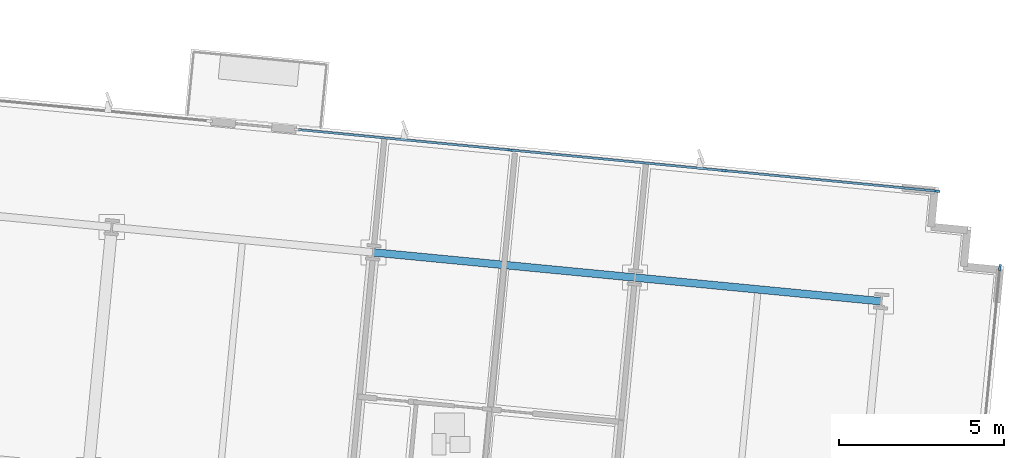
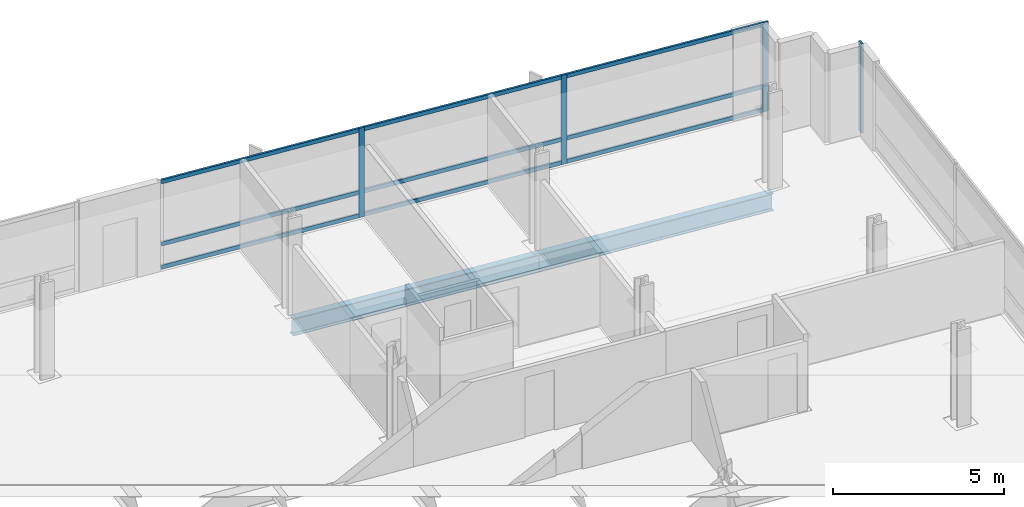
# One storey, part 8 of 16: 13 members, 2 beams, 2 elements without a shape of their own.
"""IFC4 building model written with IfcOpenShell, lengths in metres."""

from ifc_helpers import new_model, si_unit, direction, frame, origin, origin_2d, place, context, subcontext, project, spatial, rectangle, i_section, extrude, material, material_profile, profile_set, type_object, element, aggregate, save


model = new_model("IFC4")

# Units and contexts
model_context = context("Model", 3, precision=1e-05, world=origin(), true_north=direction((0.0, 1.0)))
body_context = subcontext(model_context, "Body", "Model", "MODEL_VIEW")
ifc_project = project(units=[si_unit("LENGTHUNIT", "METRE"), si_unit("AREAUNIT", "SQUARE_METRE"), si_unit("VOLUMEUNIT", "CUBIC_METRE"), si_unit("PLANEANGLEUNIT", "RADIAN"), si_unit("MASSUNIT", "GRAM", prefix="KILO")], contexts=[model_context])

# Site, building, storey
site_placement = place(None, origin())
site = spatial("IfcSite", under=ifc_project, at=site_placement, CompositionType="ELEMENT")
building_placement = place(site_placement, origin())
building = spatial("IfcBuilding", under=site, at=building_placement, Name="Solmavex Isthmus Hotel", CompositionType="ELEMENT")
storey_placement = place(building_placement, frame((0.0, 0.0, 160.050048828125)))
storey = spatial("IfcBuildingStorey", under=building, at=storey_placement, Name="L43", CompositionType="ELEMENT", Elevation=160.050048828125)

# Beams
ifc_material_1 = material(Name="Steel ASTM A992 Grade 50", Category="steel")
ifc_material_profile_1 = material_profile(ifc_material_1, i_section(OverallWidth=0.230224609375, OverallDepth=0.617431640625, WebThickness=0.01318359375, FlangeThickness=0.022216796875, FilletRadius=0.01513671875, at=origin_2d()), Name="W24X94")
ifc_profile_set_1 = profile_set([ifc_material_profile_1], Name="Steel ASTM A992 Grade 50")
beam_type = type_object("IfcBeamType", Name="BM-SP-W24X94", PredefinedType="SPANDREL", material=ifc_profile_set_1)
beam_1_placement = place(storey_placement, frame((9.1953125, 17.966552734375, -0.56884765625), z_axis=(0.995397440011, -0.095832856685, 0.0), x_axis=(0.095832856685, 0.995397440011, 0.0)))
element("IfcBeam", 1, at=beam_1_placement, inside=storey, type_object=beam_type, Name="Floor Girder L43-UG19", PredefinedType="SPANDREL", context=body_context, shape_type="SweptSolid", body=[
    extrude(i_section(OverallWidth=0.230224609375, OverallDepth=0.617431640625, WebThickness=0.01318359375, FlangeThickness=0.022216796875, FilletRadius=0.01513671875, at=origin_2d()), origin(), (0.0, 0.0, 1.0), 7.9560546875),
])
beam_2_placement = place(storey_placement, frame((17.11474609375, 17.2041015625, -0.56884765625), z_axis=(0.995395279593, -0.095855293875, 0.0), x_axis=(0.095855293875, 0.995395279593, 0.0)))
element("IfcBeam", 2, at=beam_2_placement, inside=storey, type_object=beam_type, Name="Floor Girder L43-UG20", PredefinedType="SPANDREL", context=body_context, shape_type="SweptSolid", body=[
    extrude(i_section(OverallWidth=0.230224609375, OverallDepth=0.617431640625, WebThickness=0.01318359375, FlangeThickness=0.022216796875, FilletRadius=0.01513671875, at=origin_2d()), origin(), (0.0, 0.0, 1.0), 7.488037109375),
])

# Curtain wall, members
ifc_material_2 = material(Name="Aluminium alloy 6063-T6", Category="aluminium")
curtain_wall_type = type_object("IfcCurtainWallType", Name="CW-SYS-03", PredefinedType="NOTDEFINED", material=ifc_material_2)
curtain_wall_1_placement = place(storey_placement, origin())
curtain_wall_1 = element("IfcCurtainWall", 3, at=curtain_wall_1_placement, inside=storey, type_object=curtain_wall_type, Name="Stick Curtain Wall CWL-L43-N3", PredefinedType="NOTDEFINED")
ifc_material_profile_2 = material_profile(ifc_material_2, rectangle(XDim=0.070068359375, YDim=0.179931640625, at=origin_2d()), Name="CWM-70X180")
ifc_profile_set_2 = profile_set([ifc_material_profile_2], Name="Aluminium alloy 6063-T6")
member_type_1 = type_object("IfcMemberType", Name="CW-SYS-03-MUL", PredefinedType="MULLION", material=ifc_profile_set_2)
member_1_placement = place(storey_placement, frame((13.340576171875, 21.0634765625, 0.0), z_axis=(0.0, 0.0, 1.0), x_axis=(0.095845735304, 0.995396200025, 0.0)))
member_1 = element("IfcMember", 4, at=member_1_placement, type_object=member_type_1, Name="CW-03 mullion 2", PredefinedType="MULLION", context=body_context, shape_type="SweptSolid", body=[
    extrude(rectangle(XDim=0.070068359375, YDim=0.179931640625, at=origin_2d()), origin(), (0.0, 0.0, 1.0), 3.18994140625),
])
member_2_placement = place(storey_placement, frame((19.818115234375, 20.439697265625, 0.0), z_axis=(0.0, 0.0, 1.0), x_axis=(0.095845735304, 0.995396200025, 0.0)))
member_2 = element("IfcMember", 5, at=member_2_placement, type_object=member_type_1, Name="CW-03 mullion 3", PredefinedType="MULLION", context=body_context, shape_type="SweptSolid", body=[
    extrude(rectangle(XDim=0.070068359375, YDim=0.179931640625, at=origin_2d()), origin(), (0.0, 0.0, 1.0), 3.18994140625),
])
member_3_placement = place(storey_placement, frame((26.260498046875, 19.819580078125, 0.0), z_axis=(0.0, 0.0, 1.0), x_axis=(0.095845735304, 0.995396200025, 0.0)))
member_3 = element("IfcMember", 6, at=member_3_placement, type_object=member_type_1, Name="CW-03 mullion 4", PredefinedType="MULLION", context=body_context, shape_type="SweptSolid", body=[
    extrude(rectangle(XDim=0.070068359375, YDim=0.179931640625, at=origin_2d()), origin(), (0.0, 0.0, 1.0), 3.18994140625),
])

# Curtain wall, member
curtain_wall_2_placement = place(storey_placement, origin())
curtain_wall_2 = element("IfcCurtainWall", 7, at=curtain_wall_2_placement, inside=storey, type_object=curtain_wall_type, Name="Stick Curtain Wall CWL-L43-E1", PredefinedType="NOTDEFINED")
member_4_placement = place(storey_placement, frame((28.1630859375, 17.511474609375, 0.0), z_axis=(0.0, 0.0, 1.0), x_axis=(-0.995396190038, 0.09584583902, 0.0)))
member_4 = element("IfcMember", 8, at=member_4_placement, type_object=member_type_1, Name="CW-03 mullion 6", PredefinedType="MULLION", context=body_context, shape_type="SweptSolid", body=[
    extrude(rectangle(XDim=0.070068359375, YDim=0.179931640625, at=origin_2d()), origin(), (0.0, 0.0, 1.0), 3.18994140625),
])
aggregate(curtain_wall_2, [member_4])

# Member
ifc_material_profile_3 = material_profile(ifc_material_2, rectangle(XDim=0.070068359375, YDim=0.139892578125, at=origin_2d()), Name="CWT-70X140")
ifc_profile_set_3 = profile_set([ifc_material_profile_3], Name="Aluminium alloy 6063-T6")
member_type_2 = type_object("IfcMemberType", Name="CW-SYS-03-TRN", PredefinedType="USERDEFINED", material=ifc_profile_set_3)
member_5_placement = place(storey_placement, frame((6.932861328125, 21.680419921875, 0.070068359375), z_axis=(0.995398123793, -0.095825754103, 0.0), x_axis=(0.095825754103, 0.995398123793, 0.0)))
member_5 = element("IfcMember", 9, at=member_5_placement, type_object=member_type_2, Name="CW-03 transom 1.1", ObjectType="TRANSOM", PredefinedType="USERDEFINED", context=body_context, shape_type="SweptSolid", body=[
    extrude(rectangle(XDim=0.070068359375, YDim=0.139892578125, at=origin_2d()), origin(), (0.0, 0.0, 1.0), 6.402587890625),
])

member_6_placement = place(storey_placement, frame((6.932861328125, 21.680419921875, 0.89990234375), z_axis=(0.995398123793, -0.095825754103, 0.0), x_axis=(0.095825754103, 0.995398123793, 0.0)))
member_6 = element("IfcMember", 10, at=member_6_placement, type_object=member_type_2, Name="CW-03 transom 1.2", ObjectType="TRANSOM", PredefinedType="USERDEFINED", context=body_context, shape_type="SweptSolid", body=[
    extrude(rectangle(XDim=0.070068359375, YDim=0.139892578125, at=origin_2d()), origin(), (0.0, 0.0, 1.0), 6.402587890625),
])

member_7_placement = place(storey_placement, frame((6.932861328125, 21.680419921875, 3.119873046875), z_axis=(0.995398123793, -0.095825754103, 0.0), x_axis=(0.095825754103, 0.995398123793, 0.0)))
member_7 = element("IfcMember", 11, at=member_7_placement, type_object=member_type_2, Name="CW-03 transom 1.3", ObjectType="TRANSOM", PredefinedType="USERDEFINED", context=body_context, shape_type="SweptSolid", body=[
    extrude(rectangle(XDim=0.070068359375, YDim=0.139892578125, at=origin_2d()), origin(), (0.0, 0.0, 1.0), 6.402587890625),
])

member_8_placement = place(storey_placement, frame((13.37548828125, 21.06005859375, 0.070068359375), z_axis=(0.995396930529, -0.095838148421, 0.0), x_axis=(0.095838148421, 0.995396930529, 0.0)))
member_8 = element("IfcMember", 12, at=member_8_placement, type_object=member_type_2, Name="CW-03 transom 2.1", ObjectType="TRANSOM", PredefinedType="USERDEFINED", context=body_context, shape_type="SweptSolid", body=[
    extrude(rectangle(XDim=0.070068359375, YDim=0.139892578125, at=origin_2d()), origin(), (0.0, 0.0, 1.0), 6.437255859375),
])

member_9_placement = place(storey_placement, frame((13.37548828125, 21.06005859375, 0.89990234375), z_axis=(0.995396930529, -0.095838148421, 0.0), x_axis=(0.095838148421, 0.995396930529, 0.0)))
member_9 = element("IfcMember", 13, at=member_9_placement, type_object=member_type_2, Name="CW-03 transom 2.2", ObjectType="TRANSOM", PredefinedType="USERDEFINED", context=body_context, shape_type="SweptSolid", body=[
    extrude(rectangle(XDim=0.070068359375, YDim=0.139892578125, at=origin_2d()), origin(), (0.0, 0.0, 1.0), 6.437255859375),
])

member_10_placement = place(storey_placement, frame((13.37548828125, 21.06005859375, 3.119873046875), z_axis=(0.995396930529, -0.095838148421, 0.0), x_axis=(0.095838148421, 0.995396930529, 0.0)))
member_10 = element("IfcMember", 14, at=member_10_placement, type_object=member_type_2, Name="CW-03 transom 2.3", ObjectType="TRANSOM", PredefinedType="USERDEFINED", context=body_context, shape_type="SweptSolid", body=[
    extrude(rectangle(XDim=0.070068359375, YDim=0.139892578125, at=origin_2d()), origin(), (0.0, 0.0, 1.0), 6.437255859375),
])

member_11_placement = place(storey_placement, frame((19.852783203125, 20.4365234375, 0.070068359375), z_axis=(0.995394485876, -0.09586353576, 0.0), x_axis=(0.09586353576, 0.995394485876, 0.0)))
member_11 = element("IfcMember", 15, at=member_11_placement, type_object=member_type_2, Name="CW-03 transom 3.1", ObjectType="TRANSOM", PredefinedType="USERDEFINED", context=body_context, shape_type="SweptSolid", body=[
    extrude(rectangle(XDim=0.070068359375, YDim=0.139892578125, at=origin_2d()), origin(), (0.0, 0.0, 1.0), 6.402587890625),
])

member_12_placement = place(storey_placement, frame((19.852783203125, 20.4365234375, 0.89990234375), z_axis=(0.995394485876, -0.09586353576, 0.0), x_axis=(0.09586353576, 0.995394485876, 0.0)))
member_12 = element("IfcMember", 16, at=member_12_placement, type_object=member_type_2, Name="CW-03 transom 3.2", ObjectType="TRANSOM", PredefinedType="USERDEFINED", context=body_context, shape_type="SweptSolid", body=[
    extrude(rectangle(XDim=0.070068359375, YDim=0.139892578125, at=origin_2d()), origin(), (0.0, 0.0, 1.0), 6.402587890625),
])

member_13_placement = place(storey_placement, frame((19.852783203125, 20.4365234375, 3.119873046875), z_axis=(0.995394485876, -0.09586353576, 0.0), x_axis=(0.09586353576, 0.995394485876, 0.0)))
member_13 = element("IfcMember", 17, at=member_13_placement, type_object=member_type_2, Name="CW-03 transom 3.3", ObjectType="TRANSOM", PredefinedType="USERDEFINED", context=body_context, shape_type="SweptSolid", body=[
    extrude(rectangle(XDim=0.070068359375, YDim=0.139892578125, at=origin_2d()), origin(), (0.0, 0.0, 1.0), 6.402587890625),
])

aggregate(curtain_wall_1, [member_1, member_2, member_3, member_5, member_6, member_7, member_8, member_9, member_10, member_11, member_12, member_13])

save(model, "model.ifc")
